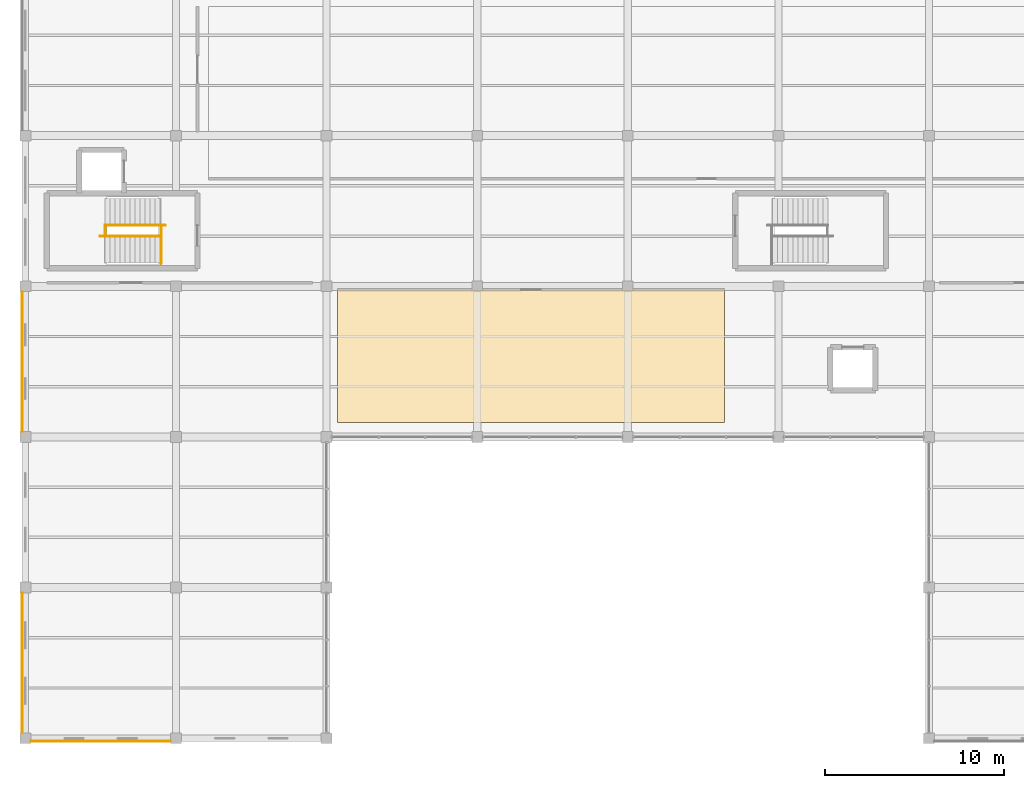
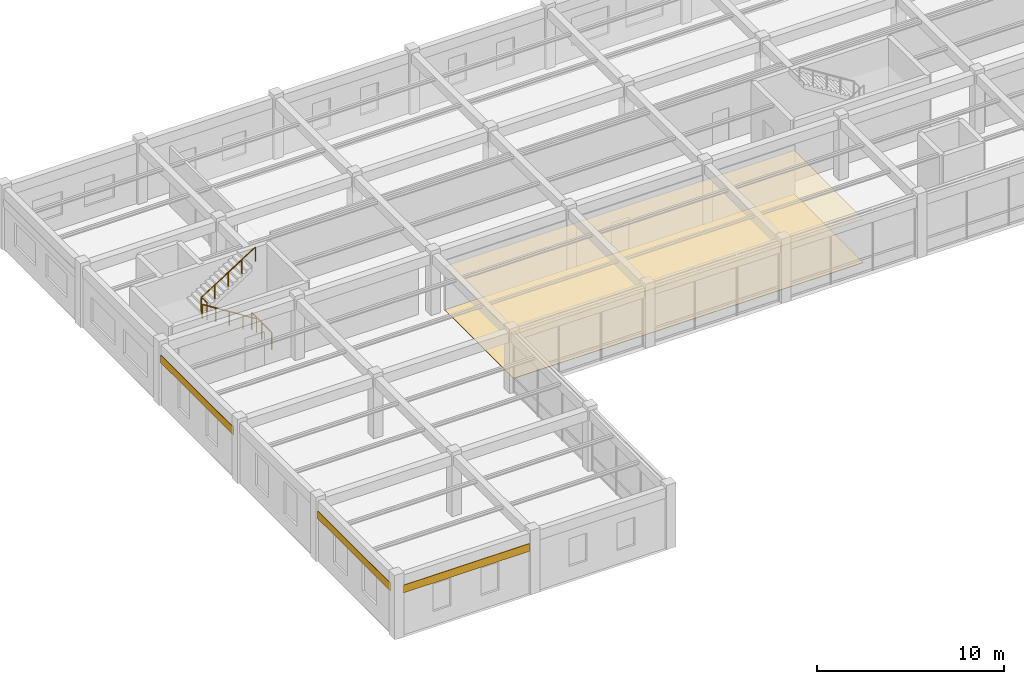
# One storey, part 104 of 114: 5 coverings, 4 railings.
"""IFC4 building model written with IfcOpenShell, lengths in metres."""

from ifc_helpers import new_model, si_unit, direction, frame, origin, origin_2d, place, context, subcontext, project, spatial, polyline, circle, outline, extrude, material, layer, layer_set, type_object, element, save


model = new_model("IFC4")

# Units and contexts
model_context = context("Model", 3, precision=1e-05, world=origin(), true_north=direction((0.0, 1.0)))
body_context = subcontext(model_context, "Body", "Model", "MODEL_VIEW")
ifc_project = project(units=[si_unit("LENGTHUNIT", "METRE"), si_unit("AREAUNIT", "SQUARE_METRE"), si_unit("VOLUMEUNIT", "CUBIC_METRE"), si_unit("PLANEANGLEUNIT", "RADIAN"), si_unit("MASSUNIT", "GRAM", prefix="KILO"), si_unit("THERMODYNAMICTEMPERATUREUNIT", "KELVIN"), si_unit("POWERUNIT", "WATT")], contexts=[model_context])

# Site, building, storey
site_placement = place(None, origin())
site = spatial("IfcSite", under=ifc_project, at=site_placement, CompositionType="ELEMENT")
building_placement = place(site_placement, origin())
building = spatial("IfcBuilding", under=site, at=building_placement, Name="Darbajah Civic Hall", CompositionType="ELEMENT")
storey_placement = place(building_placement, frame((0.0, 0.0, 13.800048828125)))
storey = spatial("IfcBuildingStorey", under=building, at=storey_placement, Name="L03", CompositionType="ELEMENT", Elevation=13.800048828125)

# Railings
ifc_material_1 = material(Name="Brushed Bronze Stainless Steel", Category="steel")
railing_type_1 = type_object("IfcRailingType", Name="Brushed Bronze Handrail", PredefinedType="HANDRAIL", material=ifc_material_1)
railing_1_placement = place(storey_placement, frame((7.52001953125, 28.0, 0.175048828125)))
element("IfcRailing", 1, at=railing_1_placement, inside=storey, type_object=railing_type_1, Name="ST10 L03 lower flight handrail", PredefinedType="HANDRAIL", context=body_context, shape_type="SweptSolid", body=[
    extrude(circle(Radius=0.02392578125, at=origin_2d()), frame((-0.023193359375, 0.0, 0.910400390625), z_axis=(-0.845972016735, 0.0, 0.533227293844), x_axis=(0.0, -1.0, 0.0)), (0.0, 0.0, 1.0), 3.917236328125),
    extrude(circle(Radius=0.02099609375, at=origin_2d()), origin(), (0.0, 0.0, 1.0), 0.867919921875),
    extrude(circle(Radius=0.02099609375, at=origin_2d()), frame((-0.840087890625, 0.0, 0.529541015625)), (0.0, 0.0, 1.0), 0.867919921875),
    extrude(circle(Radius=0.02099609375, at=origin_2d()), frame((-1.68017578125, 0.0, 1.05908203125)), (0.0, 0.0, 1.0), 0.867919921875),
    extrude(circle(Radius=0.02099609375, at=origin_2d()), frame((-2.52001953125, 0.0, 1.58837890625)), (0.0, 0.0, 1.0), 0.867919921875),
    extrude(circle(Radius=0.02099609375, at=origin_2d()), frame((-3.360107421875, 0.0, 2.117919921875)), (0.0, 0.0, 1.0), 0.867919921875),
])
railing_2_placement = place(storey_placement, frame((4.43994140625, 28.60009765625, 2.27490234375)))
element("IfcRailing", 2, at=railing_2_placement, inside=storey, type_object=railing_type_1, Name="ST10 L03 upper flight handrail", PredefinedType="HANDRAIL", context=body_context, shape_type="SweptSolid", body=[
    extrude(circle(Radius=0.02392578125, at=origin_2d()), frame((0.023193359375, 0.0, 0.910400390625), z_axis=(0.845944288966, 0.0, 0.533271281775), x_axis=(0.0, 1.0, 0.0)), (0.0, 0.0, 1.0), 3.91748046875),
    extrude(circle(Radius=0.02099609375, at=origin_2d()), origin(), (0.0, 0.0, 1.0), 0.867919921875),
    extrude(circle(Radius=0.02099609375, at=origin_2d()), frame((0.840087890625, 0.0, 0.529541015625)), (0.0, 0.0, 1.0), 0.867919921875),
    extrude(circle(Radius=0.02099609375, at=origin_2d()), frame((1.68017578125, 0.0, 1.05908203125)), (0.0, 0.0, 1.0), 0.867919921875),
    extrude(circle(Radius=0.02099609375, at=origin_2d()), frame((2.52001953125, 0.0, 1.588623046875)), (0.0, 0.0, 1.0), 0.867919921875),
    extrude(circle(Radius=0.02099609375, at=origin_2d()), frame((3.360107421875, 0.0, 2.1181640625)), (0.0, 0.0, 1.0), 0.867919921875),
])

# Covering
ifc_material_2 = material(Name="Honed Qatari Limestone Terrazzo", Category="masonry")
ifc_layer_1 = layer(ifc_material_2, 0.030029296875, Name="Honed Qatari Limestone Terrazzo")
ifc_layer_set_1 = layer_set([ifc_layer_1], Name="Honed Qatari Limestone Terrazzo")
covering_type_1 = type_object("IfcCoveringType", Name="Honed Qatari Limestone Terrazzo Flooring", PredefinedType="FLOORING", material=ifc_layer_set_1)
covering_1_placement = place(storey_placement, origin())
element("IfcCovering", 3, at=covering_1_placement, inside=storey, type_object=covering_type_1, Name="L03 stone terrazzo flooring L03-V5-02", PredefinedType="FLOORING", context=body_context, shape_type="SweptSolid", body=[
    extrude(outline(polyline([(17.39990234375, 17.60009765625), (39.0, 17.60009765625), (39.0, 25.0), (17.39990234375, 25.0), (17.39990234375, 17.60009765625)])), origin(), (0.0, 0.0, 1.0), 0.030029296875),
])

# Railings
ifc_material_3 = material(Name="Brushed Bronze and Laminated Safety Glass", Category="glass")
railing_type_2 = type_object("IfcRailingType", Name="Interior Guard Balustrade", PredefinedType="BALUSTRADE", material=ifc_material_3)
railing_3_placement = place(storey_placement, frame((7.570068359375, 26.449951171875, 0.0)))
element("IfcRailing", 4, at=railing_3_placement, inside=storey, type_object=railing_type_2, Name="ST10 L03 stair-well edge guard", PredefinedType="BALUSTRADE", context=body_context, shape_type="SweptSolid", body=[
    extrude(circle(Radius=0.02392578125, at=origin_2d()), frame((0.0, 0.02734375, 1.09619140625), z_axis=(0.0, 1.0, 0.0), x_axis=(-1.0, 0.0, 0.0)), (0.0, 0.0, 1.0), 2.095458984375),
    extrude(circle(Radius=0.02099609375, at=origin_2d()), origin(), (0.0, 0.0, 1.0), 1.068115234375),
    extrude(circle(Radius=0.02099609375, at=origin_2d()), frame((0.0, 1.0751953125, 0.0)), (0.0, 0.0, 1.0), 1.068115234375),
    extrude(circle(Radius=0.02099609375, at=origin_2d()), frame((0.0, 2.150146484375, 0.0)), (0.0, 0.0, 1.0), 1.068115234375),
])
railing_4_placement = place(storey_placement, frame((4.4599609375, 28.0, 2.099853515625)))
element("IfcRailing", 5, at=railing_4_placement, inside=storey, type_object=railing_type_2, Name="ST10 L03 landing well guard", PredefinedType="BALUSTRADE", context=body_context, shape_type="SweptSolid", body=[
    extrude(circle(Radius=0.02392578125, at=origin_2d()), frame((0.0, 0.02734375, 1.09619140625), z_axis=(0.0, 1.0, 0.0), x_axis=(-1.0, 0.0, 0.0)), (0.0, 0.0, 1.0), 0.54541015625),
    extrude(circle(Radius=0.02099609375, at=origin_2d()), origin(), (0.0, 0.0, 1.0), 1.068115234375),
    extrude(circle(Radius=0.02099609375, at=origin_2d()), frame((0.0, 0.60009765625, 0.0)), (0.0, 0.0, 1.0), 1.068115234375),
])

# Coverings
ifc_material_4 = material(Name="Qatari Desert Limestone Ashlar", Category="masonry")
ifc_layer_2 = layer(ifc_material_4, 0.044921875, Name="Qatari Desert Limestone Ashlar")
ifc_layer_set_2 = layer_set([ifc_layer_2], Name="Qatari Desert Limestone Ashlar")
covering_type_2 = type_object("IfcCoveringType", Name="Limestone Facade Cladding", PredefinedType="CLADDING", material=ifc_layer_set_2)
covering_2_placement = place(storey_placement, frame((0.0, 0.0, 2.7900390625)))
element("IfcCovering", 6, at=covering_2_placement, inside=storey, type_object=covering_type_2, Name="L03 stone frieze cladding EW-V5-L03-S0-B0", PredefinedType="CLADDING", context=body_context, shape_type="SweptSolid", body=[
    extrude(outline(polyline([(0.302001953125, -0.155029296875), (8.097900390625, -0.155029296875), (8.097900390625, -0.199951171875), (0.302001953125, -0.199951171875), (0.302001953125, -0.155029296875)])), origin(), (0.0, 0.0, 1.0), 0.5),
])
covering_3_placement = place(storey_placement, frame((0.0, 0.0, 2.7900390625)))
element("IfcCovering", 7, at=covering_3_placement, inside=storey, type_object=covering_type_2, Name="L03 stone frieze cladding EW-V5-L03-S7-B2", PredefinedType="CLADDING", context=body_context, shape_type="SweptSolid", body=[
    extrude(outline(polyline([(-0.155029296875, 24.89794921875), (-0.155029296875, 17.10205078125), (-0.199951171875, 17.10205078125), (-0.199951171875, 24.89794921875), (-0.155029296875, 24.89794921875)])), origin(), (0.0, 0.0, 1.0), 0.5),
])
covering_4_placement = place(storey_placement, frame((0.0, 0.0, 2.7900390625)))
element("IfcCovering", 8, at=covering_4_placement, inside=storey, type_object=covering_type_2, Name="L03 stone frieze cladding EW-V5-L03-S7-B4", PredefinedType="CLADDING", context=body_context, shape_type="SweptSolid", body=[
    extrude(outline(polyline([(-0.155029296875, 8.097900390625), (-0.155029296875, 0.302001953125), (-0.199951171875, 0.302001953125), (-0.199951171875, 8.097900390625), (-0.155029296875, 8.097900390625)])), origin(), (0.0, 0.0, 1.0), 0.5),
])
ifc_material_5 = material(Name="Perforated Acoustic Gypsum Board")
ifc_layer_3 = layer(ifc_material_5, 0.02490234375, Name="Perforated Acoustic Gypsum Board")
ifc_layer_set_3 = layer_set([ifc_layer_3], Name="Perforated Acoustic Gypsum Board")
covering_type_3 = type_object("IfcCoveringType", Name="Perforated Acoustic Gypsum Ceiling", PredefinedType="CEILING", material=ifc_layer_set_3)
covering_5_placement = place(storey_placement, frame((0.0, 0.0, 2.849853515625)))
element("IfcCovering", 9, at=covering_5_placement, inside=storey, type_object=covering_type_3, Name="L03 acoustic suspended ceiling L03-V5-02", PredefinedType="CEILING", context=body_context, shape_type="SweptSolid", body=[
    extrude(outline(polyline([(17.39990234375, 17.60009765625), (39.0, 17.60009765625), (39.0, 25.0), (17.39990234375, 25.0), (17.39990234375, 17.60009765625)])), origin(), (0.0, 0.0, 1.0), 0.025146484375),
])

save(model, "model.ifc")
